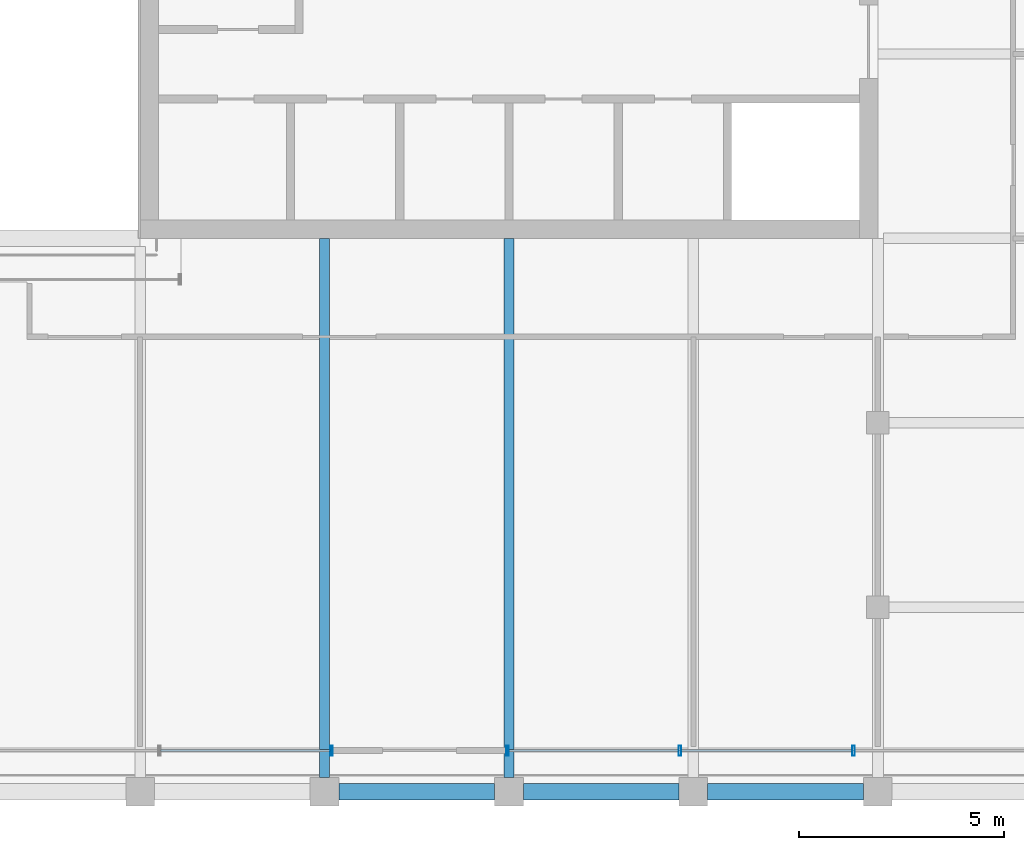
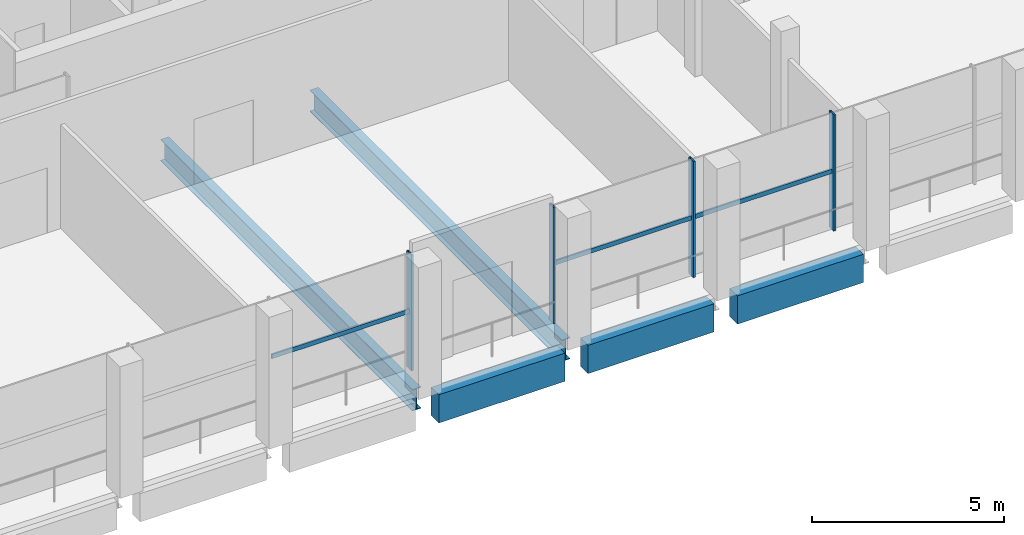
# One storey, part 5 of 17: 7 members, 5 beams, 2 elements without a shape of their own.
"""IFC4 building model written with IfcOpenShell, lengths in metres."""

from ifc_helpers import new_model, si_unit, direction, frame, origin, origin_2d, place, context, subcontext, project, spatial, rectangle, hollow_rectangle, i_section, extrude, material, material_profile, profile_set, type_object, element, aggregate, save


model = new_model("IFC4")

# Units and contexts
model_context = context("Model", 3, precision=1e-05, world=origin(), true_north=direction((0.0, 1.0)))
body_context = subcontext(model_context, "Body", "Model", "MODEL_VIEW")
ifc_project = project(units=[si_unit("LENGTHUNIT", "METRE"), si_unit("AREAUNIT", "SQUARE_METRE"), si_unit("VOLUMEUNIT", "CUBIC_METRE"), si_unit("PLANEANGLEUNIT", "RADIAN"), si_unit("MASSUNIT", "GRAM", prefix="KILO")], contexts=[model_context])

# Site, building, storey
site_placement = place(None, origin())
site = spatial("IfcSite", under=ifc_project, at=site_placement, CompositionType="ELEMENT")
building_placement = place(site_placement, origin())
building = spatial("IfcBuilding", under=site, at=building_placement, Name="Altepetl Exchange Towers", CompositionType="ELEMENT")
storey_placement = place(building_placement, frame((0.0, 0.0, 255.199951171875)))
storey = spatial("IfcBuildingStorey", under=building, at=storey_placement, Name="L65", CompositionType="ELEMENT", Elevation=255.199951171875)

# Beams
ifc_material_1 = material(Name="Steel S355", Category="steel")
ifc_material_profile_1 = material_profile(ifc_material_1, i_section(OverallWidth=0.25390625, OverallDepth=0.68408203125, WebThickness=0.012451171875, FlangeThickness=0.018798828125, at=origin_2d()), Name="W27X94")
ifc_profile_set_1 = profile_set([ifc_material_profile_1], Name="Steel S355")
beam_type_1 = type_object("IfcBeamType", Name="Floor beam W27X94", PredefinedType="BEAM", material=ifc_profile_set_1)
for number, where, z_axis, x_axis, name in (
    (1, (45.0, 27.35009765625, -0.516845703125), (0.0, 1.0, 0.0), (-1.0, 0.0, 0.0), "bm:A:L65:015"),
    (2, (49.5, 27.35009765625, -0.516845703125), (0.0, 1.0, 0.0), (-1.0, 0.0, 0.0), "bm:A:L65:016"),
):
    element("IfcBeam", number, at=place(storey_placement, frame(where, z_axis=z_axis, x_axis=x_axis)), inside=storey, type_object=beam_type_1, Name=name, PredefinedType="BEAM", context=body_context, shape_type="SweptSolid", body=[
        extrude(i_section(OverallWidth=0.25390625, OverallDepth=0.68408203125, WebThickness=0.012451171875, FlangeThickness=0.018798828125, at=origin_2d()), origin(), (0.0, 0.0, 1.0), 13.14990234375),
    ])

# Curtain wall, member
ifc_material_2 = material(Name="Aluminium 6063-T6 glazing", Category="aluminium")
curtain_wall_type = type_object("IfcCurtainWallType", Name="Executive flush glazing system", PredefinedType="NOTDEFINED", material=ifc_material_2)
curtain_wall_1_placement = place(storey_placement, origin())
curtain_wall_1 = element("IfcCurtainWall", 3, at=curtain_wall_1_placement, inside=storey, type_object=curtain_wall_type, Name="CW4 run", PredefinedType="NOTDEFINED")
ifc_material_3 = material(Name="Aluminium 6063-T6", Category="aluminium")
ifc_material_profile_2 = material_profile(ifc_material_3, hollow_rectangle(XDim=0.06005859375, YDim=0.25, WallThickness=0.0029296875, at=origin_2d()), Name="Mullion 60x250 hollow aluminium")
ifc_profile_set_2 = profile_set([ifc_material_profile_2], Name="Aluminium 6063-T6")
member_type_1 = type_object("IfcMemberType", Name="Mullion 60x250 hollow aluminium", PredefinedType="MULLION", material=ifc_profile_set_2)
member_1_placement = place(storey_placement, frame((45.173095703125, 28.0, 0.0)))
member_1 = element("IfcMember", 4, at=member_1_placement, type_object=member_type_1, Name="MU3 mullion", PredefinedType="MULLION", context=body_context, shape_type="SweptSolid", body=[
    extrude(hollow_rectangle(XDim=0.06005859375, YDim=0.25, WallThickness=0.0029296875, at=origin_2d()), origin(), (0.0, 0.0, 1.0), 3.699951171875),
])

# Curtain wall, members
curtain_wall_2_placement = place(storey_placement, origin())
curtain_wall_2 = element("IfcCurtainWall", 5, at=curtain_wall_2_placement, inside=storey, type_object=curtain_wall_type, Name="CW4 run", PredefinedType="NOTDEFINED")
member_2_placement = place(storey_placement, frame((49.467529296875, 28.0, 0.0)))
member_2 = element("IfcMember", 6, at=member_2_placement, type_object=member_type_1, Name="MU3 mullion", PredefinedType="MULLION", context=body_context, shape_type="SweptSolid", body=[
    extrude(hollow_rectangle(XDim=0.06005859375, YDim=0.25, WallThickness=0.0029296875, at=origin_2d()), origin(), (0.0, 0.0, 1.0), 3.699951171875),
])
member_3_placement = place(storey_placement, frame((53.671875, 28.0, 0.0)))
member_3 = element("IfcMember", 7, at=member_3_placement, type_object=member_type_1, Name="MU3 mullion", PredefinedType="MULLION", context=body_context, shape_type="SweptSolid", body=[
    extrude(hollow_rectangle(XDim=0.06005859375, YDim=0.25, WallThickness=0.0029296875, at=origin_2d()), origin(), (0.0, 0.0, 1.0), 3.699951171875),
])
member_4_placement = place(storey_placement, frame((57.90625, 28.0, 0.0)))
member_4 = element("IfcMember", 8, at=member_4_placement, type_object=member_type_1, Name="MU3 mullion", PredefinedType="MULLION", context=body_context, shape_type="SweptSolid", body=[
    extrude(hollow_rectangle(XDim=0.06005859375, YDim=0.25, WallThickness=0.0029296875, at=origin_2d()), origin(), (0.0, 0.0, 1.0), 3.699951171875),
])

# Beams
ifc_material_4 = material(Name="Concrete C50/60 precast with cantera blanca facing", Category="concrete")
ifc_material_profile_3 = material_profile(ifc_material_4, rectangle(XDim=0.39990234375, YDim=0.89990234375, at=origin_2d()), Name="400 x 900")
ifc_profile_set_3 = profile_set([ifc_material_profile_3], Name="Concrete C50/60 precast with cantera blanca facing")
beam_type_2 = type_object("IfcBeamType", Name="Spandrel beam 400x900 cantera blanca", PredefinedType="SPANDREL", material=ifc_profile_set_3)
for number, where, z_axis, x_axis, name in (
    (9, (45.35009765625, 27.0, -0.625), (1.0, 0.0, 0.0), (0.0, 1.0, 0.0), "sp:A:L65:003"),
    (10, (49.85009765625, 27.0, -0.625), (1.0, 0.0, 0.0), (0.0, 1.0, 0.0), "sp:A:L65:004"),
    (11, (54.35009765625, 27.0, -0.625), (1.0, 0.0, 0.0), (0.0, 1.0, 0.0), "sp:A:L65:005"),
):
    element("IfcBeam", number, at=place(storey_placement, frame(where, z_axis=z_axis, x_axis=x_axis)), inside=storey, type_object=beam_type_2, Name=name, PredefinedType="SPANDREL", context=body_context, shape_type="SweptSolid", body=[
        extrude(rectangle(XDim=0.39990234375, YDim=0.89990234375, at=origin_2d()), origin(), (0.0, 0.0, 1.0), 3.7998046875),
    ])

# Member
ifc_material_profile_4 = material_profile(ifc_material_3, hollow_rectangle(XDim=0.050048828125, YDim=0.139892578125, WallThickness=0.0029296875, at=origin_2d()), Name="Transom 50x140 hollow aluminium")
ifc_profile_set_4 = profile_set([ifc_material_profile_4], Name="Aluminium 6063-T6")
member_type_2 = type_object("IfcMemberType", Name="Transom 50x140 hollow aluminium", PredefinedType="USERDEFINED", material=ifc_profile_set_4)
member_5_placement = place(storey_placement, frame((40.998779296875, 28.0, 1.85009765625), z_axis=(1.0, 0.0, 0.0), x_axis=(0.0, 1.0, 0.0)))
member_5 = element("IfcMember", 12, at=member_5_placement, type_object=member_type_2, Name="TR2 transom", ObjectType="TRANSOM", PredefinedType="USERDEFINED", context=body_context, shape_type="SweptSolid", body=[
    extrude(hollow_rectangle(XDim=0.050048828125, YDim=0.139892578125, WallThickness=0.0029296875, at=origin_2d()), origin(), (0.0, 0.0, 1.0), 4.144287109375),
])

aggregate(curtain_wall_1, [member_1, member_5])

member_6_placement = place(storey_placement, frame((49.49755859375, 28.0, 1.85009765625), z_axis=(1.0, 0.0, 0.0), x_axis=(0.0, 1.0, 0.0)))
member_6 = element("IfcMember", 13, at=member_6_placement, type_object=member_type_2, Name="TR2 transom", ObjectType="TRANSOM", PredefinedType="USERDEFINED", context=body_context, shape_type="SweptSolid", body=[
    extrude(hollow_rectangle(XDim=0.050048828125, YDim=0.139892578125, WallThickness=0.0029296875, at=origin_2d()), origin(), (0.0, 0.0, 1.0), 4.144287109375),
])

member_7_placement = place(storey_placement, frame((53.701904296875, 28.0, 1.85009765625), z_axis=(1.0, 0.0, 0.0), x_axis=(0.0, 1.0, 0.0)))
member_7 = element("IfcMember", 14, at=member_7_placement, type_object=member_type_2, Name="TR2 transom", ObjectType="TRANSOM", PredefinedType="USERDEFINED", context=body_context, shape_type="SweptSolid", body=[
    extrude(hollow_rectangle(XDim=0.050048828125, YDim=0.139892578125, WallThickness=0.0029296875, at=origin_2d()), origin(), (0.0, 0.0, 1.0), 4.17431640625),
])

aggregate(curtain_wall_2, [member_2, member_3, member_4, member_6, member_7])

save(model, "model.ifc")
